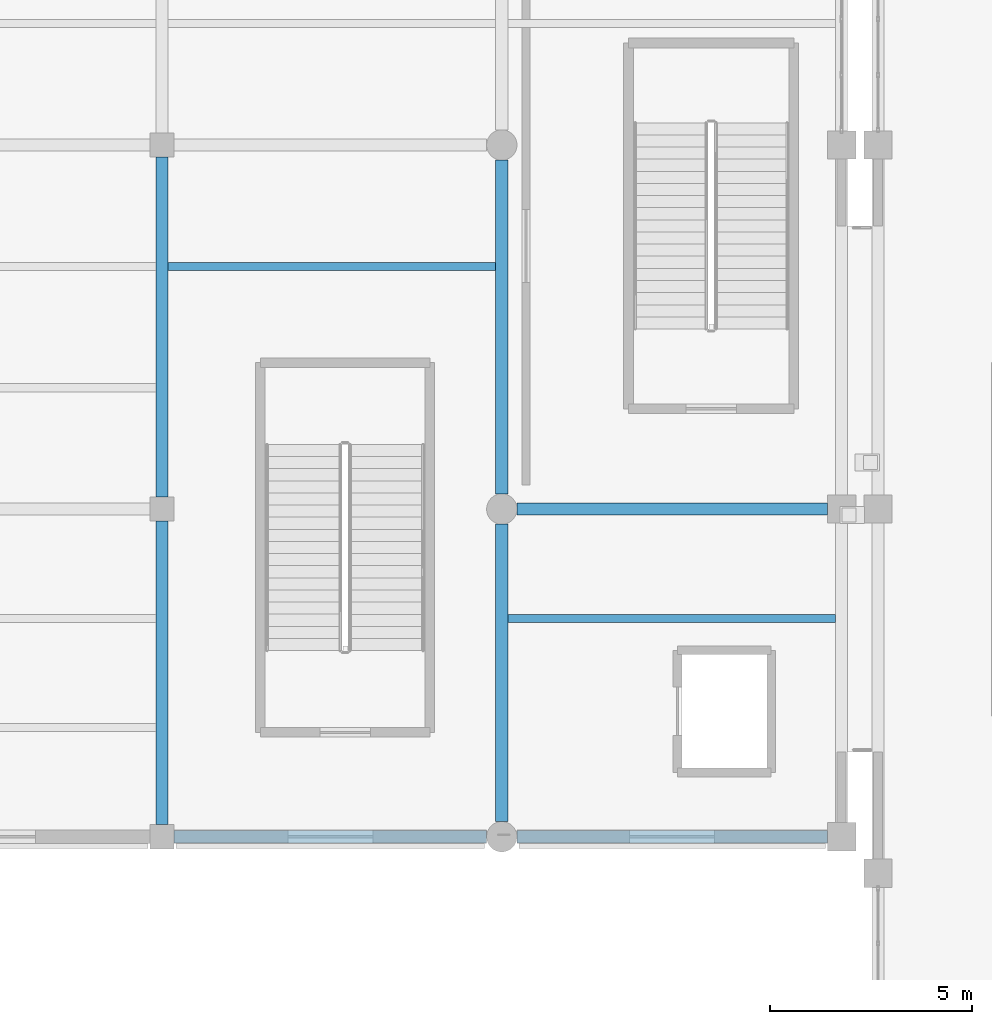
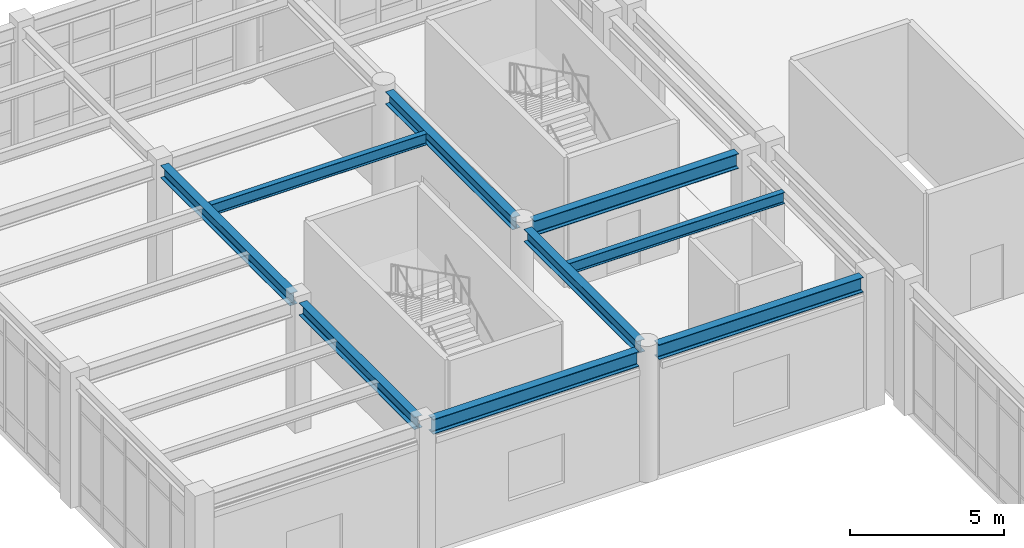
# One storey, part 36 of 80: 9 beams.
"""IFC4 building model written with IfcOpenShell, lengths in metres."""

from ifc_helpers import new_model, si_unit, direction, frame, origin, origin_2d, place, context, subcontext, project, spatial, i_section, extrude, material, material_profile, profile_set, type_object, element, save


model = new_model("IFC4")

# Units and contexts
model_context = context("Model", 3, precision=1e-05, world=origin(), true_north=direction((0.0, 1.0)))
body_context = subcontext(model_context, "Body", "Model", "MODEL_VIEW")
ifc_project = project(units=[si_unit("LENGTHUNIT", "METRE"), si_unit("AREAUNIT", "SQUARE_METRE"), si_unit("VOLUMEUNIT", "CUBIC_METRE"), si_unit("PLANEANGLEUNIT", "RADIAN"), si_unit("MASSUNIT", "GRAM", prefix="KILO")], contexts=[model_context])

# Site, building, storey
site_placement = place(None, origin())
site = spatial("IfcSite", under=ifc_project, at=site_placement, CompositionType="ELEMENT")
building_placement = place(site_placement, origin())
building = spatial("IfcBuilding", under=site, at=building_placement, Name="Canglan Escarpment Cableway Terminal", CompositionType="ELEMENT")
storey_placement = place(building_placement, frame((0.0, 0.0, 19.199951171875)))
storey = spatial("IfcBuildingStorey", under=building, at=storey_placement, Name="L04", CompositionType="ELEMENT", Elevation=19.199951171875)

# Beams
ifc_material_1 = material(Name="Steel Q355B", Category="steel")
ifc_material_profile_1 = material_profile(ifc_material_1, i_section(OverallWidth=0.300048828125, OverallDepth=0.488037109375, WebThickness=0.010986328125, FlangeThickness=0.01806640625, FilletRadius=0.02587890625, at=origin_2d()), Name="HM 488x300x11x18")
ifc_profile_set_1 = profile_set([ifc_material_profile_1], Name="Steel Q355B")
beam_type_1 = type_object("IfcBeamType", Name="BM-HM488", PredefinedType="BEAM", material=ifc_profile_set_1)
beam_1_placement = place(storey_placement, frame((119.89990234375, 89.199951171875, 4.885986328125), z_axis=(0.0, 1.0, 0.0), x_axis=(-1.0, 0.0, 0.0)))
element("IfcBeam", 1, at=beam_1_placement, inside=storey, type_object=beam_type_1, Name="Primary transverse girder B-09", PredefinedType="BEAM", context=body_context, shape_type="SweptSolid", body=[
    extrude(i_section(OverallWidth=0.300048828125, OverallDepth=0.488037109375, WebThickness=0.010986328125, FlangeThickness=0.01806640625, FilletRadius=0.02587890625, at=origin_2d()), origin(), (0.0, 0.0, 1.0), 7.5),
])
beam_2_placement = place(storey_placement, frame((119.89990234375, 97.300048828125, 4.885986328125), z_axis=(0.0, 1.0, 0.0), x_axis=(-1.0, 0.0, 0.0)))
element("IfcBeam", 2, at=beam_2_placement, inside=storey, type_object=beam_type_1, Name="Primary transverse girder B-09", PredefinedType="BEAM", context=body_context, shape_type="SweptSolid", body=[
    extrude(i_section(OverallWidth=0.300048828125, OverallDepth=0.488037109375, WebThickness=0.010986328125, FlangeThickness=0.01806640625, FilletRadius=0.02587890625, at=origin_2d()), origin(), (0.0, 0.0, 1.0), 8.39990234375),
])
beam_3_placement = place(storey_placement, frame((128.300048828125, 89.27490234375, 4.916015625), z_axis=(0.0, 1.0, 0.0), x_axis=(-1.0, 0.0, 0.0)))
element("IfcBeam", 3, at=beam_3_placement, inside=storey, type_object=beam_type_1, Name="Primary transverse girder B-09", PredefinedType="BEAM", context=body_context, shape_type="SweptSolid", body=[
    extrude(i_section(OverallWidth=0.300048828125, OverallDepth=0.488037109375, WebThickness=0.010986328125, FlangeThickness=0.01806640625, FilletRadius=0.02587890625, at=origin_2d()), origin(), (0.0, 0.0, 1.0), 7.35009765625),
])
beam_4_placement = place(storey_placement, frame((128.300048828125, 97.375, 4.916015625), z_axis=(0.0, 1.0, 0.0), x_axis=(-1.0, 0.0, 0.0)))
element("IfcBeam", 4, at=beam_4_placement, inside=storey, type_object=beam_type_1, Name="Primary transverse girder B-09", PredefinedType="BEAM", context=body_context, shape_type="SweptSolid", body=[
    extrude(i_section(OverallWidth=0.300048828125, OverallDepth=0.488037109375, WebThickness=0.010986328125, FlangeThickness=0.01806640625, FilletRadius=0.02587890625, at=origin_2d()), origin(), (0.0, 0.0, 1.0), 8.25),
])
ifc_material_2 = material(Name="Steel Q355C", Category="steel")
ifc_material_profile_2 = material_profile(ifc_material_2, i_section(OverallWidth=0.302001953125, OverallDepth=0.593994140625, WebThickness=0.013916015625, FlangeThickness=0.02294921875, FilletRadius=0.028076171875, at=origin_2d()), Name="HM 594x302x14x23")
ifc_profile_set_2 = profile_set([ifc_material_profile_2], Name="Steel Q355C")
beam_type_2 = type_object("IfcBeamType", Name="BM-HM594", PredefinedType="BEAM", material=ifc_profile_set_2)
beam_5_placement = place(storey_placement, frame((120.199951171875, 88.89990234375, 4.863037109375), z_axis=(1.0, 0.0, 0.0), x_axis=(0.0, 1.0, 0.0)))
element("IfcBeam", 5, at=beam_5_placement, inside=storey, type_object=beam_type_2, Name="Primary structural girder B-07", PredefinedType="BEAM", context=body_context, shape_type="SweptSolid", body=[
    extrude(i_section(OverallWidth=0.302001953125, OverallDepth=0.593994140625, WebThickness=0.013916015625, FlangeThickness=0.02294921875, FilletRadius=0.028076171875, at=origin_2d()), origin(), (0.0, 0.0, 1.0), 7.72509765625),
])
for number, where, z_axis, x_axis, name in (
    (6, (128.675048828125, 88.89990234375, 4.863037109375), (1.0, 0.0, 0.0), (0.0, 1.0, 0.0), "Primary structural girder B-07"),
    (7, (128.675048828125, 97.0, 4.863037109375), (1.0, 0.0, 0.0), (0.0, 1.0, 0.0), "Primary structural girder B-07"),
):
    element("IfcBeam", number, at=place(storey_placement, frame(where, z_axis=z_axis, x_axis=x_axis)), inside=storey, type_object=beam_type_2, Name=name, PredefinedType="BEAM", context=body_context, shape_type="SweptSolid", body=[
        extrude(i_section(OverallWidth=0.302001953125, OverallDepth=0.593994140625, WebThickness=0.013916015625, FlangeThickness=0.02294921875, FilletRadius=0.028076171875, at=origin_2d()), origin(), (0.0, 0.0, 1.0), 7.675048828125),
    ])
ifc_material_profile_3 = material_profile(ifc_material_1, i_section(OverallWidth=0.199951171875, OverallDepth=0.449951171875, WebThickness=0.009033203125, FlangeThickness=0.013916015625, FilletRadius=0.01806640625, at=origin_2d()), Name="HN 450x200x9x14")
ifc_profile_set_3 = profile_set([ifc_material_profile_3], Name="Steel Q355B")
beam_type_3 = type_object("IfcBeamType", Name="JS-HN450", PredefinedType="JOIST", material=ifc_profile_set_3)
beam_6_placement = place(storey_placement, frame((120.050048828125, 103.0, 4.93505859375), z_axis=(1.0, 0.0, 0.0), x_axis=(0.0, 1.0, 0.0)))
element("IfcBeam", 8, at=beam_6_placement, inside=storey, type_object=beam_type_3, Name="Secondary composite deck joist J-02", PredefinedType="JOIST", context=body_context, shape_type="SweptSolid", body=[
    extrude(i_section(OverallWidth=0.199951171875, OverallDepth=0.449951171875, WebThickness=0.009033203125, FlangeThickness=0.013916015625, FilletRadius=0.01806640625, at=origin_2d()), origin(), (0.0, 0.0, 1.0), 8.099853515625),
])
beam_7_placement = place(storey_placement, frame((128.449951171875, 94.300048828125, 4.93505859375), z_axis=(1.0, 0.0, 0.0), x_axis=(0.0, 1.0, 0.0)))
element("IfcBeam", 9, at=beam_7_placement, inside=storey, type_object=beam_type_3, Name="Secondary composite deck joist J-02", PredefinedType="JOIST", context=body_context, shape_type="SweptSolid", body=[
    extrude(i_section(OverallWidth=0.199951171875, OverallDepth=0.449951171875, WebThickness=0.009033203125, FlangeThickness=0.013916015625, FilletRadius=0.01806640625, at=origin_2d()), origin(), (0.0, 0.0, 1.0), 8.10009765625),
])

save(model, "model.ifc")
